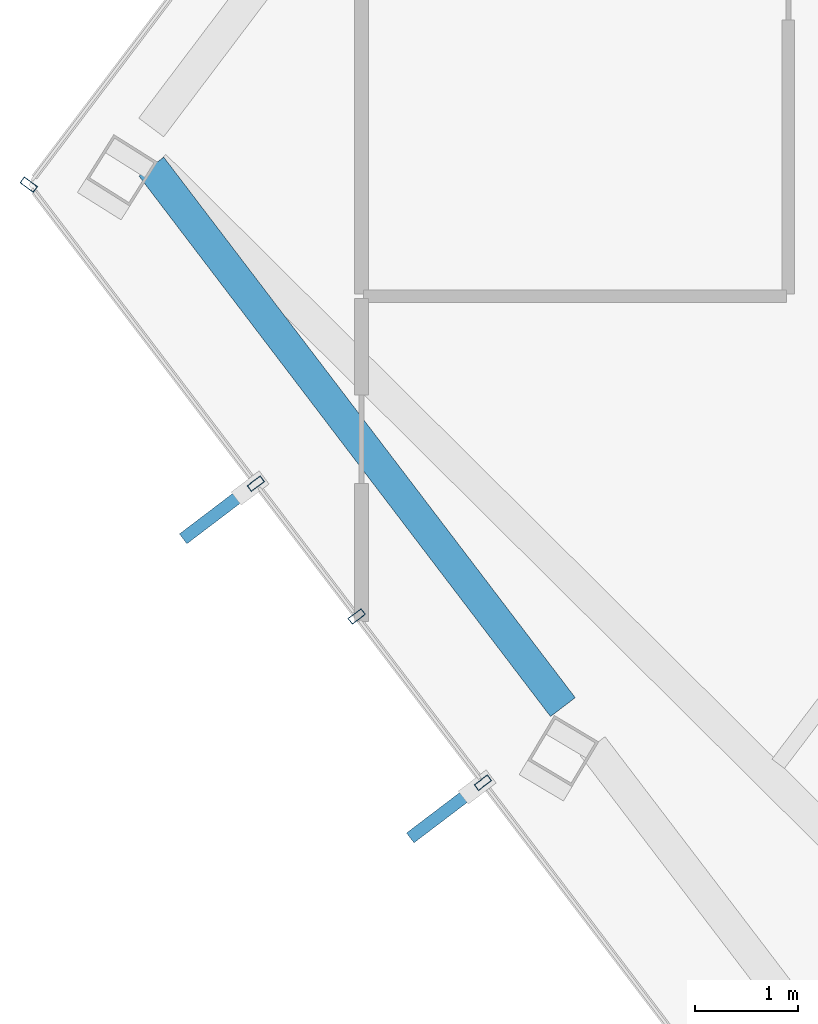
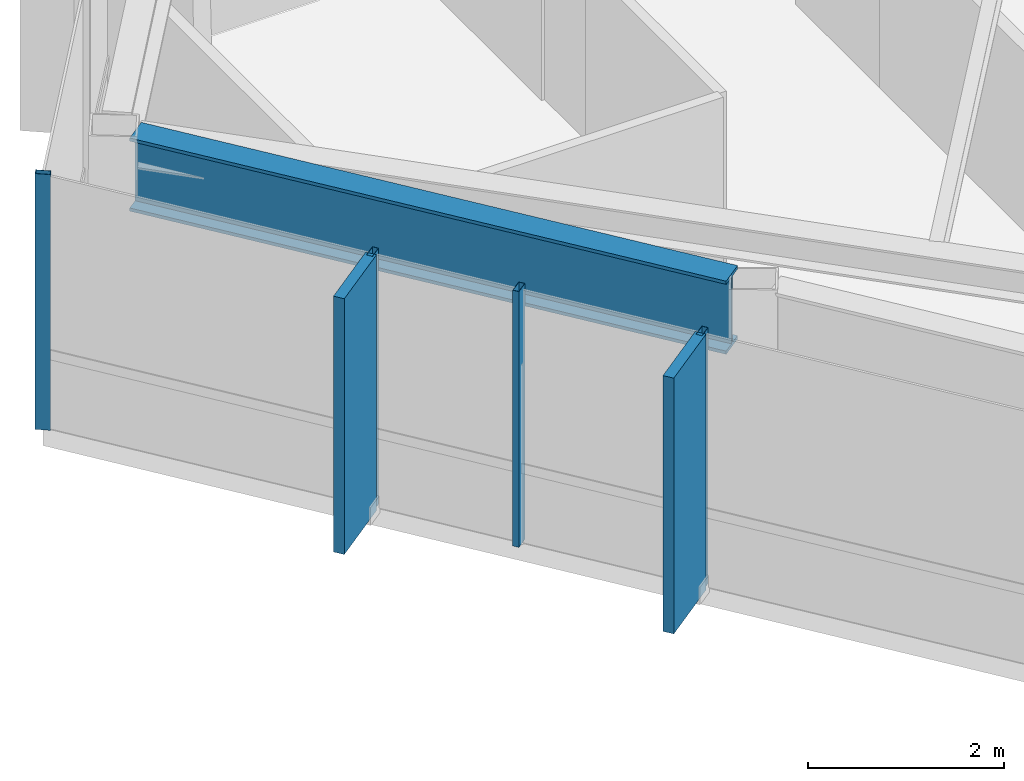
# One storey, part 9 of 25: 6 members, 1 beam, 2 elements without a shape of their own.
"""IFC4 building model written with IfcOpenShell, lengths in metres."""

from ifc_helpers import new_model, si_unit, direction, frame, origin, origin_2d, place, context, subcontext, project, spatial, rectangle, hollow_rectangle, i_section, extrude, material, layer, layer_set, material_profile, profile_set, type_object, element, aggregate, save


model = new_model("IFC4")

# Units and contexts
model_context = context("Model", 3, precision=1e-05, world=origin(), true_north=direction((0.0, 1.0)))
body_context = subcontext(model_context, "Body", "Model", "MODEL_VIEW")
ifc_project = project(units=[si_unit("LENGTHUNIT", "METRE"), si_unit("AREAUNIT", "SQUARE_METRE"), si_unit("VOLUMEUNIT", "CUBIC_METRE"), si_unit("PLANEANGLEUNIT", "RADIAN"), si_unit("MASSUNIT", "GRAM", prefix="KILO")], contexts=[model_context])

# Site, building, storey
site_placement = place(None, origin())
site = spatial("IfcSite", under=ifc_project, at=site_placement, CompositionType="ELEMENT")
building_placement = place(site_placement, origin())
building = spatial("IfcBuilding", under=site, at=building_placement, Name="Zarrinselat Tower", CompositionType="ELEMENT")
storey_placement = place(building_placement, frame((0.0, 0.0, 275.39990234375)))
storey = spatial("IfcBuildingStorey", under=building, at=storey_placement, Name="L70", CompositionType="ELEMENT", Elevation=275.39990234375)

# Beam
ifc_material_1 = material(Name="Steel S460M", Category="steel")
ifc_material_profile_1 = material_profile(ifc_material_1, i_section(OverallWidth=0.302001953125, OverallDepth=0.909912109375, WebThickness=0.02099609375, FlangeThickness=0.0400390625, at=origin_2d()), Name="HEM 900")
ifc_profile_set_1 = profile_set([ifc_material_profile_1], Name="Steel S460M")
beam_type = type_object("IfcBeamType", Name="BM-HEM900", PredefinedType="BEAM", material=ifc_profile_set_1)
beam_placement = place(storey_placement, frame((17.263427734375, 42.75634765625, 2.72509765625), z_axis=(0.605796369879, -0.795619732184, 0.0), x_axis=(0.795619732184, 0.605796369879, 0.0)))
element("IfcBeam", 1, at=beam_placement, inside=storey, type_object=beam_type, Name="L70 Perimeter Spandrel Girder SP06", PredefinedType="BEAM", context=body_context, shape_type="SweptSolid", body=[
    extrude(i_section(OverallWidth=0.302001953125, OverallDepth=0.909912109375, WebThickness=0.02099609375, FlangeThickness=0.0400390625, at=origin_2d()), origin(), (0.0, 0.0, 1.0), 6.58642578125),
])

# Curtain wall, member
ifc_material_2 = material(Name="Extruded Aluminium Alloy EN AW-6063 T6", Category="aluminium")
ifc_layer = layer(ifc_material_2, 0.169921875)
ifc_layer_set = layer_set([ifc_layer], Name="Extruded Aluminium Alloy EN AW-6063 T6")
curtain_wall_type = type_object("IfcCurtainWallType", Name="CWS-RES", PredefinedType="NOTDEFINED", material=ifc_layer_set)
curtain_wall_1_placement = place(storey_placement, origin())
curtain_wall_1 = element("IfcCurtainWall", 2, at=curtain_wall_1_placement, inside=storey, type_object=curtain_wall_type, Name="L70 Unitised Curtain Wall CW-L70-E02", PredefinedType="NOTDEFINED")
ifc_material_3 = material(Name="Extruded Aluminium Alloy EN AW-6063 T6", Category="aluminium")
ifc_material_profile_2 = material_profile(ifc_material_3, hollow_rectangle(XDim=0.070068359375, YDim=0.159912109375, WallThickness=0.00390625, at=origin_2d()), Name="RHS 160x70x4")
ifc_profile_set_2 = profile_set([ifc_material_profile_2], Name="Extruded Aluminium Alloy EN AW-6063 T6")
member_type_1 = type_object("IfcMemberType", Name="MEM-CW-MUL2", PredefinedType="MULLION", material=ifc_profile_set_2)
member_1_placement = place(storey_placement, frame((16.0751953125, 42.581298828125, 0.0), z_axis=(0.0, 0.0, 1.0), x_axis=(-0.603180355329, -0.797604826305, 0.0)))
member_1 = element("IfcMember", 3, at=member_1_placement, type_object=member_type_1, Name="CW-L70-E02 Mullion 3", PredefinedType="MULLION", context=body_context, shape_type="SweptSolid", body=[
    extrude(hollow_rectangle(XDim=0.070068359375, YDim=0.159912109375, WallThickness=0.00390625, at=origin_2d()), origin(), (0.0, 0.0, 1.0), 3.18017578125),
])
aggregate(curtain_wall_1, [member_1])

# Curtain wall, members
curtain_wall_2_placement = place(storey_placement, origin())
curtain_wall_2 = element("IfcCurtainWall", 4, at=curtain_wall_2_placement, inside=storey, type_object=curtain_wall_type, Name="L70 Unitised Curtain Wall CW-L70-E03", PredefinedType="NOTDEFINED")
member_2_placement = place(storey_placement, frame((18.27685546875, 39.68212890625, 0.0), z_axis=(0.0, 0.0, 1.0), x_axis=(0.604787567266, -0.796386839721, 0.0)))
member_2 = element("IfcMember", 5, at=member_2_placement, type_object=member_type_1, Name="CW-L70-E03 Mullion 1", PredefinedType="MULLION", context=body_context, shape_type="SweptSolid", body=[
    extrude(hollow_rectangle(XDim=0.070068359375, YDim=0.159912109375, WallThickness=0.00390625, at=origin_2d()), origin(), (0.0, 0.0, 1.0), 3.18017578125),
])
member_3_placement = place(storey_placement, frame((19.25439453125, 38.394775390625, 0.0), z_axis=(0.0, 0.0, 1.0), x_axis=(0.604787567266, -0.796386839721, 0.0)))
member_3 = element("IfcMember", 6, at=member_3_placement, type_object=member_type_1, Name="CW-L70-E03 Mullion 2", PredefinedType="MULLION", context=body_context, shape_type="SweptSolid", body=[
    extrude(hollow_rectangle(XDim=0.070068359375, YDim=0.159912109375, WallThickness=0.00390625, at=origin_2d()), origin(), (0.0, 0.0, 1.0), 3.18017578125),
])
member_4_placement = place(storey_placement, frame((20.478515625, 36.783203125, 0.0), z_axis=(0.0, 0.0, 1.0), x_axis=(0.604787567266, -0.796386839721, 0.0)))
member_4 = element("IfcMember", 7, at=member_4_placement, type_object=member_type_1, Name="CW-L70-E03 Mullion 3", PredefinedType="MULLION", context=body_context, shape_type="SweptSolid", body=[
    extrude(hollow_rectangle(XDim=0.070068359375, YDim=0.159912109375, WallThickness=0.00390625, at=origin_2d()), origin(), (0.0, 0.0, 1.0), 3.18017578125),
])
ifc_material_4 = material(Name="Honed Cream Travertine Stone", Category="masonry")
ifc_material_profile_3 = material_profile(ifc_material_4, rectangle(XDim=0.1201171875, YDim=0.85009765625, at=origin_2d()), Name="FIN 850x120")
ifc_profile_set_3 = profile_set([ifc_material_profile_3], Name="Honed Cream Travertine Stone")
member_type_2 = type_object("IfcMemberType", Name="MEM-STONE-FIN", PredefinedType="USERDEFINED", material=ifc_profile_set_3)
member_5_placement = place(storey_placement, frame((17.910400390625, 39.404052734375, 0.0), z_axis=(0.0, 0.0, 1.0), x_axis=(-0.604787567266, 0.796386839721, 0.0)))
member_5 = element("IfcMember", 8, at=member_5_placement, type_object=member_type_2, Name="L70 Stone Shading Fin CW-L70-E03-01", ObjectType="FIN", PredefinedType="USERDEFINED", context=body_context, shape_type="SweptSolid", body=[
    extrude(rectangle(XDim=0.1201171875, YDim=0.85009765625, at=origin_2d()), origin(), (0.0, 0.0, 1.0), 3.18017578125),
])
member_6_placement = place(storey_placement, frame((20.112060546875, 36.5048828125, 0.0), z_axis=(0.0, 0.0, 1.0), x_axis=(-0.604787567266, 0.796386839721, 0.0)))
member_6 = element("IfcMember", 9, at=member_6_placement, type_object=member_type_2, Name="L70 Stone Shading Fin CW-L70-E03-03", ObjectType="FIN", PredefinedType="USERDEFINED", context=body_context, shape_type="SweptSolid", body=[
    extrude(rectangle(XDim=0.1201171875, YDim=0.85009765625, at=origin_2d()), origin(), (0.0, 0.0, 1.0), 3.18017578125),
])
aggregate(curtain_wall_2, [member_2, member_5, member_3, member_4, member_6])

save(model, "model.ifc")
